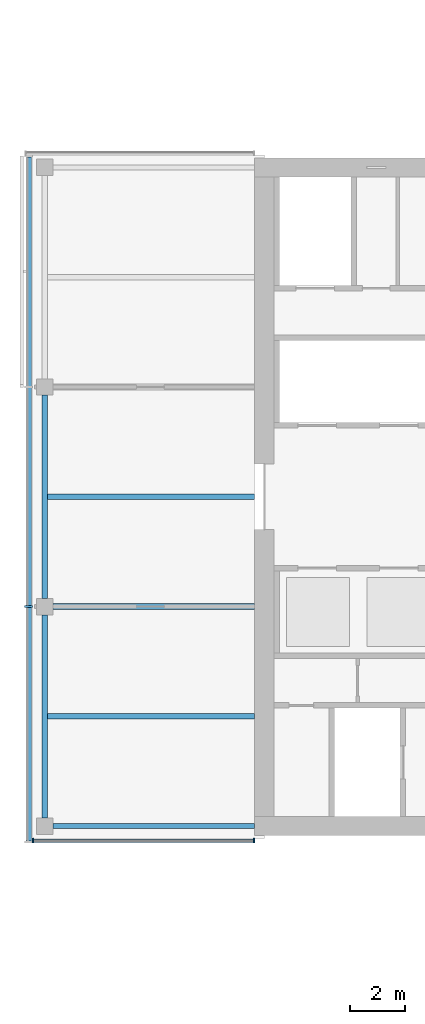
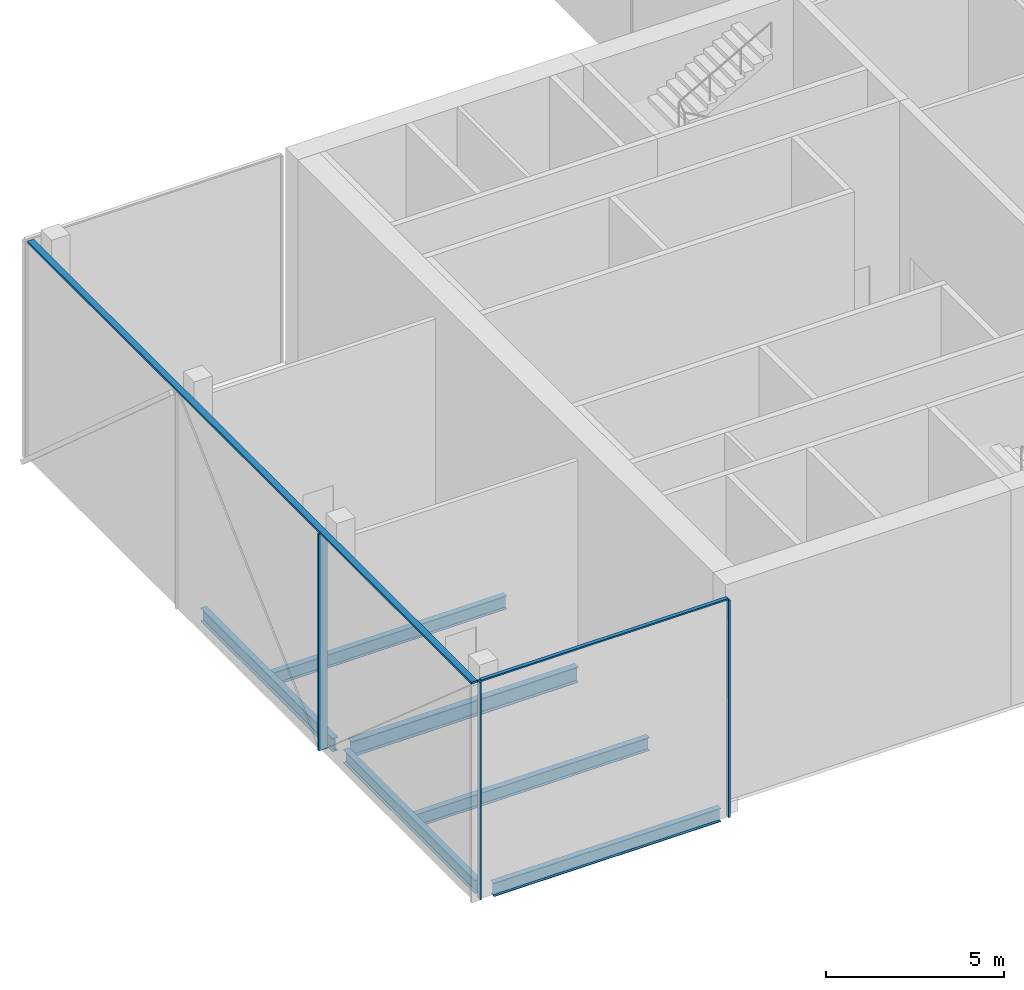
# One storey, part 3 of 20: 6 beams, 5 members, 2 elements without a shape of their own.
"""IFC4 building model written with IfcOpenShell, lengths in metres."""

from ifc_helpers import new_model, si_unit, direction, frame, origin, origin_2d, place, context, subcontext, project, spatial, rectangle, i_section, extrude, material, material_profile, profile_set, type_object, element, aggregate, save


model = new_model("IFC4")

# Units and contexts
model_context = context("Model", 3, precision=1e-05, world=origin(), true_north=direction((0.0, 1.0)))
body_context = subcontext(model_context, "Body", "Model", "MODEL_VIEW")
ifc_project = project(units=[si_unit("LENGTHUNIT", "METRE"), si_unit("AREAUNIT", "SQUARE_METRE"), si_unit("VOLUMEUNIT", "CUBIC_METRE"), si_unit("PLANEANGLEUNIT", "RADIAN"), si_unit("MASSUNIT", "GRAM", prefix="KILO")], contexts=[model_context])

# Site, building, storey
site_placement = place(None, origin())
site = spatial("IfcSite", under=ifc_project, at=site_placement, CompositionType="ELEMENT")
building_placement = place(site_placement, origin())
building = spatial("IfcBuilding", under=site, at=building_placement, Name="Crosswind Convention Tower", CompositionType="ELEMENT")
storey_placement = place(building_placement, frame((0.0, 0.0, 171.5)))
storey = spatial("IfcBuildingStorey", under=building, at=storey_placement, Name="L36", CompositionType="ELEMENT", Elevation=171.5)

# Beams
ifc_material_1 = material(Name="Steel S355", Category="steel")
ifc_material_profile_1 = material_profile(ifc_material_1, i_section(OverallWidth=0.19140625, OverallDepth=0.460205078125, WebThickness=0.010009765625, FlangeThickness=0.01611328125, FilletRadius=0.01025390625, at=origin_2d()), Name="UB 457x191x82")
ifc_profile_set_1 = profile_set([ifc_material_profile_1], Name="Steel S355")
beam_type_1 = type_object("IfcBeamType", Name="Edge beam UB 457x191x82", PredefinedType="SPANDREL", material=ifc_profile_set_1)
for number, where, z_axis, x_axis, name in (
    (1, (89.0, 88.300048828125, -0.630126953125), (0.0, 1.0, 0.0), (-1.0, 0.0, 0.0), "B18 L36 edge beam 1"),
    (2, (89.0, 96.300048828125, -0.630126953125), (0.0, 1.0, 0.0), (-1.0, 0.0, 0.0), "B18 L36 edge beam 2"),
):
    element("IfcBeam", number, at=place(storey_placement, frame(where, z_axis=z_axis, x_axis=x_axis)), inside=storey, type_object=beam_type_1, Name=name, PredefinedType="SPANDREL", context=body_context, shape_type="SweptSolid", body=[
        extrude(i_section(OverallWidth=0.19140625, OverallDepth=0.460205078125, WebThickness=0.010009765625, FlangeThickness=0.01611328125, FilletRadius=0.01025390625, at=origin_2d()), origin(), (0.0, 0.0, 1.0), 7.39990234375),
    ])
beam_1_placement = place(storey_placement, frame((89.300048828125, 88.0, -0.630126953125), z_axis=(1.0, 0.0, 0.0), x_axis=(0.0, 1.0, 0.0)))
element("IfcBeam", 3, at=beam_1_placement, inside=storey, type_object=beam_type_1, Name="B18 L36 edge beam 4", PredefinedType="SPANDREL", context=body_context, shape_type="SweptSolid", body=[
    extrude(i_section(OverallWidth=0.19140625, OverallDepth=0.460205078125, WebThickness=0.010009765625, FlangeThickness=0.01611328125, FilletRadius=0.01025390625, at=origin_2d()), origin(), (0.0, 0.0, 1.0), 7.349853515625),
])
ifc_material_profile_2 = material_profile(ifc_material_1, i_section(OverallWidth=0.210693359375, OverallDepth=0.53955078125, WebThickness=0.01171875, FlangeThickness=0.018798828125, FilletRadius=0.0126953125, at=origin_2d()), Name="UB 533x210x109")
ifc_profile_set_2 = profile_set([ifc_material_profile_2], Name="Steel S355")
beam_type_2 = type_object("IfcBeamType", Name="Girder at core wall UB 533x210x109", PredefinedType="BEAM", material=ifc_profile_set_2)
beam_2_placement = place(storey_placement, frame((89.300048828125, 96.0, -0.669677734375), z_axis=(1.0, 0.0, 0.0), x_axis=(0.0, 1.0, 0.0)))
element("IfcBeam", 4, at=beam_2_placement, inside=storey, type_object=beam_type_2, Name="B25 L36 girder at core wall 1", PredefinedType="BEAM", context=body_context, shape_type="SweptSolid", body=[
    extrude(i_section(OverallWidth=0.210693359375, OverallDepth=0.53955078125, WebThickness=0.01171875, FlangeThickness=0.018798828125, FilletRadius=0.0126953125, at=origin_2d()), origin(), (0.0, 0.0, 1.0), 7.349853515625),
])

# Curtain wall, members
ifc_material_2 = material(Name="Aluminium unitised curtain wall", Category="aluminium")
curtain_wall_type_1 = type_object("IfcCurtainWallType", Name="CORE END SLOT WALL 160", PredefinedType="USERDEFINED", material=ifc_material_2)
curtain_wall_1_placement = place(storey_placement, origin())
curtain_wall_1 = element("IfcCurtainWall", 5, at=curtain_wall_1_placement, inside=storey, type_object=curtain_wall_type_1, Name="CW6 L36 W-S.1-1 slot", ObjectType="UNITISED", PredefinedType="USERDEFINED")
ifc_material_3 = material(Name="Aluminium mullion", Category="aluminium")
ifc_material_profile_3 = material_profile(ifc_material_3, rectangle(XDim=0.159912109375, YDim=0.050048828125, at=origin_2d()), Name="AL 160X50")
ifc_profile_set_3 = profile_set([ifc_material_profile_3], Name="Aluminium mullion")
member_type_1 = type_object("IfcMemberType", Name="MULLION 50X160", PredefinedType="MULLION", material=ifc_profile_set_3)
member_1_placement = place(storey_placement, frame((88.574951171875, 87.469970703125, -0.39990234375), z_axis=(0.0, 0.0, 1.0), x_axis=(0.0, -1.0, 0.0)))
member_1 = element("IfcMember", 6, at=member_1_placement, type_object=member_type_1, Name="CW6 mullion 1", PredefinedType="MULLION", context=body_context, shape_type="SweptSolid", body=[
    extrude(rectangle(XDim=0.159912109375, YDim=0.050048828125, at=origin_2d()), origin(), (0.0, 0.0, 1.0), 7.449951171875),
])
member_2_placement = place(storey_placement, frame((96.625, 87.469970703125, -0.39990234375), z_axis=(0.0, 0.0, 1.0), x_axis=(0.0, -1.0, 0.0)))
member_2 = element("IfcMember", 7, at=member_2_placement, type_object=member_type_1, Name="CW6 mullion 2", PredefinedType="MULLION", context=body_context, shape_type="SweptSolid", body=[
    extrude(rectangle(XDim=0.159912109375, YDim=0.050048828125, at=origin_2d()), origin(), (0.0, 0.0, 1.0), 7.449951171875),
])

# Curtain wall, member
curtain_wall_type_2 = type_object("IfcCurtainWallType", Name="SKY LOBBY AND LOUNGE WALL 280", PredefinedType="USERDEFINED", material=ifc_material_2)
curtain_wall_2_placement = place(storey_placement, origin())
curtain_wall_2 = element("IfcCurtainWall", 8, at=curtain_wall_2_placement, inside=storey, type_object=curtain_wall_type_2, Name="CW4 L36 W-TIP 1", ObjectType="UNITISED", PredefinedType="USERDEFINED")
ifc_material_profile_4 = material_profile(ifc_material_3, rectangle(XDim=0.280029296875, YDim=0.074951171875, at=origin_2d()), Name="AL 280X75")
ifc_profile_set_4 = profile_set([ifc_material_profile_4], Name="Aluminium mullion")
member_type_2 = type_object("IfcMemberType", Name="MULLION 75X280", PredefinedType="MULLION", material=ifc_profile_set_4)
member_3_placement = place(storey_placement, frame((88.409912109375, 96.0, -0.39990234375), z_axis=(0.0, 0.0, 1.0), x_axis=(-1.0, 0.0, 0.0)))
member_3 = element("IfcMember", 9, at=member_3_placement, type_object=member_type_2, Name="CW4 mullion 3", PredefinedType="MULLION", context=body_context, shape_type="SweptSolid", body=[
    extrude(rectangle(XDim=0.280029296875, YDim=0.074951171875, at=origin_2d()), origin(), (0.0, 0.0, 1.0), 7.4248046875),
])

# Beams
ifc_material_profile_5 = material_profile(ifc_material_1, i_section(OverallWidth=0.18994140625, OverallDepth=0.45361328125, WebThickness=0.008544921875, FlangeThickness=0.0126953125, FilletRadius=0.01025390625, at=origin_2d()), Name="UB 457x191x67")
ifc_profile_set_5 = profile_set([ifc_material_profile_5], Name="Steel S355")
beam_type_3 = type_object("IfcBeamType", Name="Secondary beam UB 457x191x67", PredefinedType="JOIST", material=ifc_profile_set_5)
for number, where, z_axis, x_axis, name in (
    (10, (89.095703125, 92.0, -0.626708984375), (1.0, 0.0, 0.0), (0.0, 1.0, 0.0), "B11 L36 secondary beam 1"),
    (11, (89.095703125, 100.0, -0.626708984375), (1.0, 0.0, 0.0), (0.0, 1.0, 0.0), "B11 L36 secondary beam 2"),
):
    element("IfcBeam", number, at=place(storey_placement, frame(where, z_axis=z_axis, x_axis=x_axis)), inside=storey, type_object=beam_type_3, Name=name, PredefinedType="JOIST", context=body_context, shape_type="SweptSolid", body=[
        extrude(i_section(OverallWidth=0.18994140625, OverallDepth=0.45361328125, WebThickness=0.008544921875, FlangeThickness=0.0126953125, FilletRadius=0.01025390625, at=origin_2d()), origin(), (0.0, 0.0, 1.0), 7.55419921875),
    ])

# Member
ifc_material_4 = material(Name="Aluminium transom", Category="aluminium")
ifc_material_profile_6 = material_profile(ifc_material_4, rectangle(XDim=0.1201171875, YDim=0.050048828125, at=origin_2d()), Name="AL 120X50")
ifc_profile_set_6 = profile_set([ifc_material_profile_6], Name="Aluminium transom")
member_type_3 = type_object("IfcMemberType", Name="TRANSOM 50X120", PredefinedType="USERDEFINED", material=ifc_profile_set_6)
member_4_placement = place(storey_placement, frame((88.60009765625, 87.469970703125, 7.074951171875), z_axis=(1.0, 0.0, 0.0), x_axis=(0.0, 1.0, 0.0)))
member_4 = element("IfcMember", 12, at=member_4_placement, type_object=member_type_3, Name="CW6 transom", ObjectType="TRANSOM", PredefinedType="USERDEFINED", context=body_context, shape_type="SweptSolid", body=[
    extrude(rectangle(XDim=0.1201171875, YDim=0.050048828125, at=origin_2d()), origin(), (0.0, 0.0, 1.0), 8.0),
])

aggregate(curtain_wall_1, [member_1, member_2, member_4])

ifc_material_profile_7 = material_profile(ifc_material_4, rectangle(XDim=0.199951171875, YDim=0.074951171875, at=origin_2d()), Name="AL 200X75")
ifc_profile_set_7 = profile_set([ifc_material_profile_7], Name="Aluminium transom")
member_type_4 = type_object("IfcMemberType", Name="TRANSOM 75X200", PredefinedType="USERDEFINED", material=ifc_profile_set_7)
member_5_placement = place(storey_placement, frame((88.409912109375, 112.375, 7.0625), z_axis=(0.0, -1.0, 0.0), x_axis=(1.0, 0.0, 0.0)))
member_5 = element("IfcMember", 13, at=member_5_placement, type_object=member_type_4, Name="CW4 transom", ObjectType="TRANSOM", PredefinedType="USERDEFINED", context=body_context, shape_type="SweptSolid", body=[
    extrude(rectangle(XDim=0.199951171875, YDim=0.074951171875, at=origin_2d()), origin(), (0.0, 0.0, 1.0), 24.909912109375),
])

aggregate(curtain_wall_2, [member_3, member_5])

save(model, "model.ifc")
